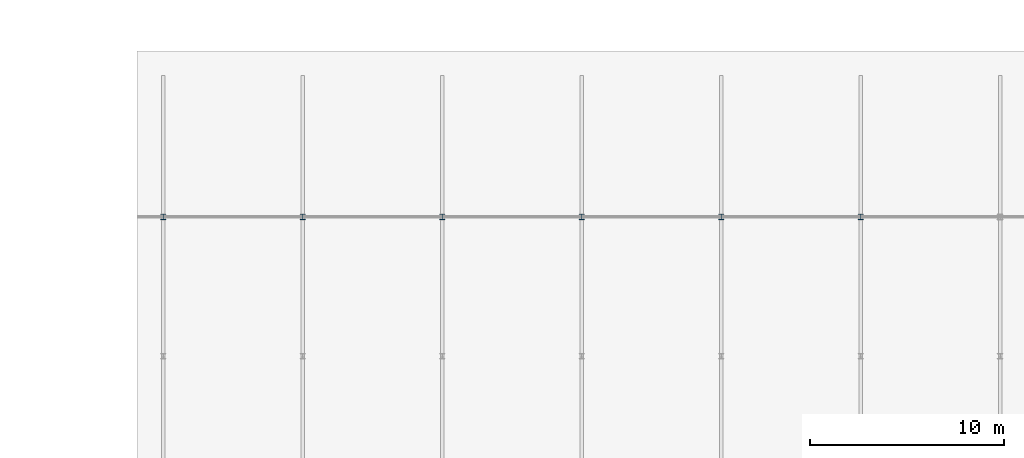
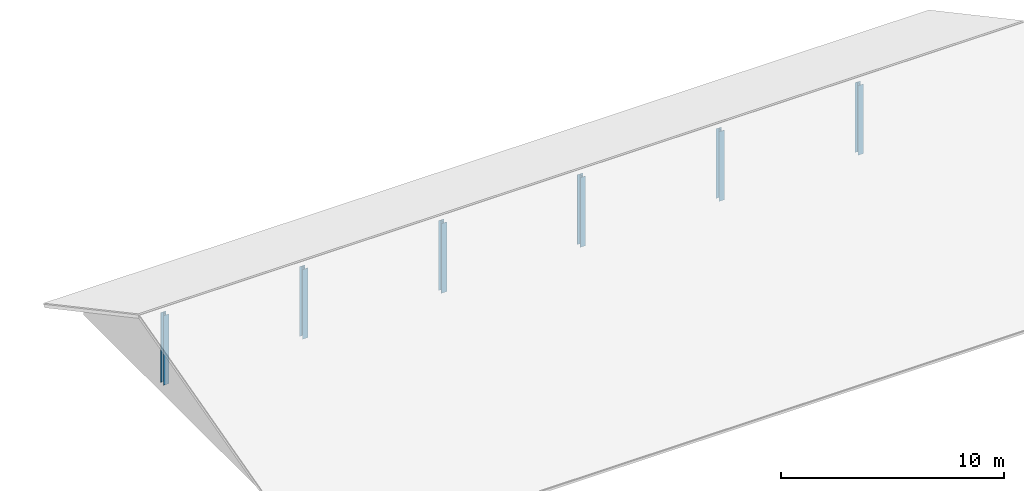
# One storey, part 6 of 157: 6 columns.
"""IFC4 building model written with IfcOpenShell, lengths in metres."""

from ifc_helpers import new_model, si_unit, direction, frame, origin, origin_2d, place, context, subcontext, project, spatial, i_section, extrude, material, material_profile, profile_set, type_object, element, save


model = new_model("IFC4")

# Units and contexts
model_context = context("Model", 3, precision=1e-05, world=origin(), true_north=direction((0.0, 1.0)))
body_context = subcontext(model_context, "Body", "Model", "MODEL_VIEW")
ifc_project = project(units=[si_unit("LENGTHUNIT", "METRE"), si_unit("AREAUNIT", "SQUARE_METRE"), si_unit("VOLUMEUNIT", "CUBIC_METRE"), si_unit("PLANEANGLEUNIT", "RADIAN"), si_unit("MASSUNIT", "GRAM", prefix="KILO")], contexts=[model_context])

# Site, building, storey
site_placement = place(None, origin())
site = spatial("IfcSite", under=ifc_project, at=site_placement, CompositionType="ELEMENT")
building_placement = place(site_placement, origin())
building = spatial("IfcBuilding", under=site, at=building_placement, Name="Suanplinth Sawtooth Commons", CompositionType="ELEMENT")
storey_placement = place(building_placement, frame((0.0, 0.0, 9.0)))
storey = spatial("IfcBuildingStorey", under=building, at=storey_placement, Name="L02", CompositionType="ELEMENT", Elevation=9.0)

# Columns
ifc_material = material(Name="Steel S355JR", Category="steel")
ifc_material_profile = material_profile(ifc_material, i_section(OverallWidth=0.280029296875, OverallDepth=0.280029296875, WebThickness=0.010498046875, FlangeThickness=0.01806640625, at=origin_2d()), Name="HEB 280")
ifc_profile_set = profile_set([ifc_material_profile], Name="Steel S355JR")
column_type = type_object("IfcColumnType", Name="C-11", PredefinedType="COLUMN", material=ifc_profile_set)
for number, where, z_axis, x_axis, name in (
    (1, (14.39990234375, 64.800048828125, 0.0), (0.0, 0.0, 1.0), (1.0, 0.0, 0.0), "Market Ridge Post 3"),
    (2, (21.60009765625, 64.800048828125, 0.0), (0.0, 0.0, 1.0), (1.0, 0.0, 0.0), "Market Ridge Post 4"),
    (3, (28.800048828125, 64.800048828125, 0.0), (0.0, 0.0, 1.0), (1.0, 0.0, 0.0), "Market Ridge Post 5"),
    (4, (36.0, 64.800048828125, 0.0), (0.0, 0.0, 1.0), (1.0, 0.0, 0.0), "Market Ridge Post 6"),
    (5, (43.199951171875, 64.800048828125, 0.0), (0.0, 0.0, 1.0), (1.0, 0.0, 0.0), "Market Ridge Post 7"),
    (6, (50.39990234375, 64.800048828125, 0.0), (0.0, 0.0, 1.0), (1.0, 0.0, 0.0), "Market Ridge Post 8"),
):
    element("IfcColumn", number, at=place(storey_placement, frame(where, z_axis=z_axis, x_axis=x_axis)), inside=storey, type_object=column_type, Name=name, PredefinedType="COLUMN", context=body_context, shape_type="SweptSolid", body=[
        extrude(i_section(OverallWidth=0.280029296875, OverallDepth=0.280029296875, WebThickness=0.010498046875, FlangeThickness=0.01806640625, at=origin_2d()), origin(), (0.0, 0.0, 1.0), 3.820068359375),
    ])

save(model, "model.ifc")
